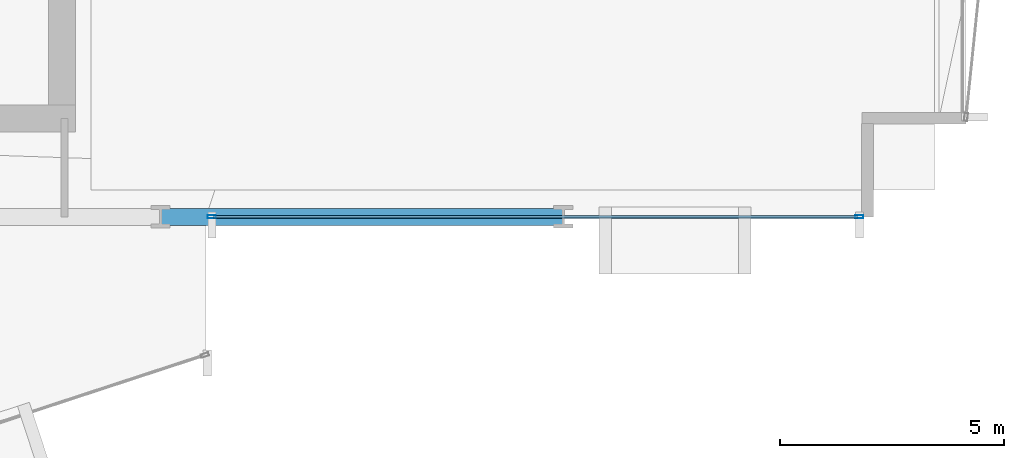
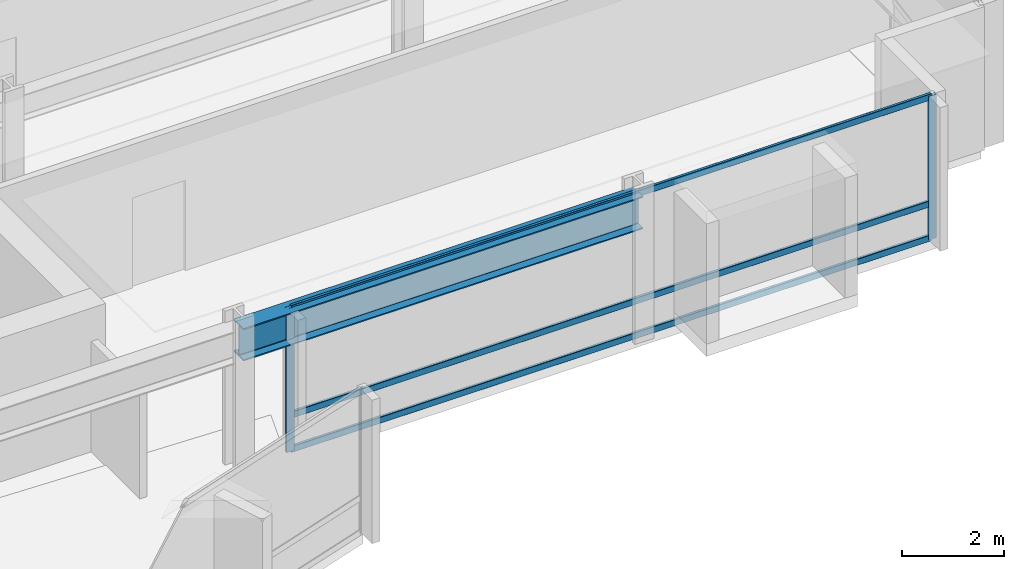
# One storey, part 12 of 34: 5 members, 1 beam, 1 element without a shape of its own.
"""IFC4 building model written with IfcOpenShell, lengths in metres."""

from ifc_helpers import new_model, si_unit, direction, frame, origin, origin_2d, place, context, subcontext, project, spatial, hollow_rectangle, i_section, extrude, material, layer, layer_set, material_profile, profile_set, type_object, element, aggregate, save


model = new_model("IFC4")

# Units and contexts
model_context = context("Model", 3, precision=1e-05, world=origin(), true_north=direction((0.0, 1.0)))
body_context = subcontext(model_context, "Body", "Model", "MODEL_VIEW")
ifc_project = project(units=[si_unit("LENGTHUNIT", "METRE"), si_unit("AREAUNIT", "SQUARE_METRE"), si_unit("VOLUMEUNIT", "CUBIC_METRE"), si_unit("PLANEANGLEUNIT", "RADIAN"), si_unit("MASSUNIT", "GRAM", prefix="KILO")], contexts=[model_context])

# Site, building, storey
site_placement = place(None, origin())
site = spatial("IfcSite", under=ifc_project, at=site_placement, CompositionType="ELEMENT")
building_placement = place(site_placement, origin())
building = spatial("IfcBuilding", under=site, at=building_placement, Name="Solvaryn Broadcast Tower", CompositionType="ELEMENT")
storey_placement = place(building_placement, frame((0.0, 0.0, 43.39990234375)))
storey = spatial("IfcBuildingStorey", under=building, at=storey_placement, Name="L09", CompositionType="ELEMENT", Elevation=43.39990234375)

# Beam
ifc_material_1 = material(Name="Steel ASTM A992 Grade 50", Category="steel")
ifc_material_profile_1 = material_profile(ifc_material_1, i_section(OverallWidth=0.381103515625, OverallDepth=0.77294921875, WebThickness=0.0166015625, FlangeThickness=0.027099609375, FilletRadius=0.01806640625, at=origin_2d()))
ifc_profile_set_1 = profile_set([ifc_material_profile_1], Name="Steel ASTM A992 Grade 50")
beam_type = type_object("IfcBeamType", Name="BM-SP1-W30X173", PredefinedType="USERDEFINED", material=ifc_profile_set_1)
beam_placement = place(storey_placement, frame((45.0, 9.0, 3.03369140625), z_axis=(1.0, 0.0, 0.0), x_axis=(0.0, 1.0, 0.0)))
element("IfcBeam", 1, at=beam_placement, inside=storey, type_object=beam_type, Name="L09 Spandrel Beam X (45-54 @ Y=9)", ObjectType="SPANDREL", PredefinedType="USERDEFINED", context=body_context, shape_type="SweptSolid", body=[
    extrude(i_section(OverallWidth=0.381103515625, OverallDepth=0.77294921875, WebThickness=0.0166015625, FlangeThickness=0.027099609375, FilletRadius=0.01806640625, at=origin_2d()), origin(), (0.0, 0.0, 1.0), 9.0),
])

# Curtain wall, members
ifc_material_2 = material(Name="Aluminium and Terracotta Unitised Curtain Wall", Category="masonry")
ifc_layer = layer(ifc_material_2, 0.199951171875)
ifc_layer_set = layer_set([ifc_layer], Name="CW-SYS2-LOWMID")
curtain_wall_type = type_object("IfcCurtainWallType", Name="CW-SYS2-LOWMID", PredefinedType="NOTDEFINED", material=ifc_layer_set)
curtain_wall_placement = place(storey_placement, origin())
curtain_wall = element("IfcCurtainWall", 2, at=curtain_wall_placement, inside=storey, type_object=curtain_wall_type, Name="L09 Curtain Wall S2", PredefinedType="NOTDEFINED")
ifc_material_3 = material(Name="Anodised Aluminium 6063-T6", Category="aluminium")
ifc_material_profile_2 = material_profile(ifc_material_3, hollow_rectangle(XDim=0.074951171875, YDim=0.179931640625, WallThickness=0.00390625, InnerFilletRadius=0.00390625, OuterFilletRadius=0.008056640625, at=origin_2d()))
ifc_profile_set_2 = profile_set([ifc_material_profile_2], Name="Anodised Aluminium 6063-T6")
member_type_1 = type_object("IfcMemberType", Name="CW-MUL-180", PredefinedType="MULLION", material=ifc_profile_set_2)
member_1_placement = place(storey_placement, frame((46.14599609375, 9.0, 0.0), z_axis=(0.0, 0.0, 1.0), x_axis=(0.0, 1.0, 0.0)))
member_1 = element("IfcMember", 3, at=member_1_placement, type_object=member_type_1, Name="CWS2 mullion 1", PredefinedType="MULLION", context=body_context, shape_type="SweptSolid", body=[
    extrude(hollow_rectangle(XDim=0.074951171875, YDim=0.179931640625, WallThickness=0.00390625, InnerFilletRadius=0.00390625, OuterFilletRadius=0.008056640625, at=origin_2d()), origin(), (0.0, 0.0, 1.0), 3.420166015625),
])
member_2_placement = place(storey_placement, frame((60.6201171875, 9.0, 0.0), z_axis=(0.0, 0.0, 1.0), x_axis=(0.0, 1.0, 0.0)))
member_2 = element("IfcMember", 4, at=member_2_placement, type_object=member_type_1, Name="CWS2 mullion 2", PredefinedType="MULLION", context=body_context, shape_type="SweptSolid", body=[
    extrude(hollow_rectangle(XDim=0.074951171875, YDim=0.179931640625, WallThickness=0.00390625, InnerFilletRadius=0.00390625, OuterFilletRadius=0.008056640625, at=origin_2d()), origin(), (0.0, 0.0, 1.0), 3.420166015625),
])
ifc_material_4 = material(Name="Anodised Aluminium 6063-T6", Category="aluminium")
ifc_material_profile_3 = material_profile(ifc_material_4, hollow_rectangle(XDim=0.06494140625, YDim=0.14990234375, WallThickness=0.00390625, InnerFilletRadius=0.00390625, OuterFilletRadius=0.008056640625, at=origin_2d()))
ifc_profile_set_3 = profile_set([ifc_material_profile_3], Name="Anodised Aluminium 6063-T6")
member_type_2 = type_object("IfcMemberType", Name="CW-TRN-150", PredefinedType="USERDEFINED", material=ifc_profile_set_3)
member_3_placement = place(storey_placement, frame((46.176025390625, 9.0, 0.030029296875), z_axis=(1.0, 0.0, 0.0), x_axis=(0.0, 1.0, 0.0)))
member_3 = element("IfcMember", 5, at=member_3_placement, type_object=member_type_2, Name="CWS2 transom 1.1", ObjectType="TRANSOM", PredefinedType="USERDEFINED", context=body_context, shape_type="SweptSolid", body=[
    extrude(hollow_rectangle(XDim=0.06494140625, YDim=0.14990234375, WallThickness=0.00390625, InnerFilletRadius=0.00390625, OuterFilletRadius=0.008056640625, at=origin_2d()), origin(), (0.0, 0.0, 1.0), 14.4140625),
])
member_4_placement = place(storey_placement, frame((46.176025390625, 9.0, 0.85009765625), z_axis=(1.0, 0.0, 0.0), x_axis=(0.0, 1.0, 0.0)))
member_4 = element("IfcMember", 6, at=member_4_placement, type_object=member_type_2, Name="CWS2 transom 1.2", ObjectType="TRANSOM", PredefinedType="USERDEFINED", context=body_context, shape_type="SweptSolid", body=[
    extrude(hollow_rectangle(XDim=0.06494140625, YDim=0.14990234375, WallThickness=0.00390625, InnerFilletRadius=0.00390625, OuterFilletRadius=0.008056640625, at=origin_2d()), origin(), (0.0, 0.0, 1.0), 14.4140625),
])
member_5_placement = place(storey_placement, frame((46.176025390625, 9.0, 3.39013671875), z_axis=(1.0, 0.0, 0.0), x_axis=(0.0, 1.0, 0.0)))
member_5 = element("IfcMember", 7, at=member_5_placement, type_object=member_type_2, Name="CWS2 transom 1.3", ObjectType="TRANSOM", PredefinedType="USERDEFINED", context=body_context, shape_type="SweptSolid", body=[
    extrude(hollow_rectangle(XDim=0.06494140625, YDim=0.14990234375, WallThickness=0.00390625, InnerFilletRadius=0.00390625, OuterFilletRadius=0.008056640625, at=origin_2d()), origin(), (0.0, 0.0, 1.0), 14.4140625),
])
aggregate(curtain_wall, [member_1, member_2, member_3, member_4, member_5])

save(model, "model.ifc")
